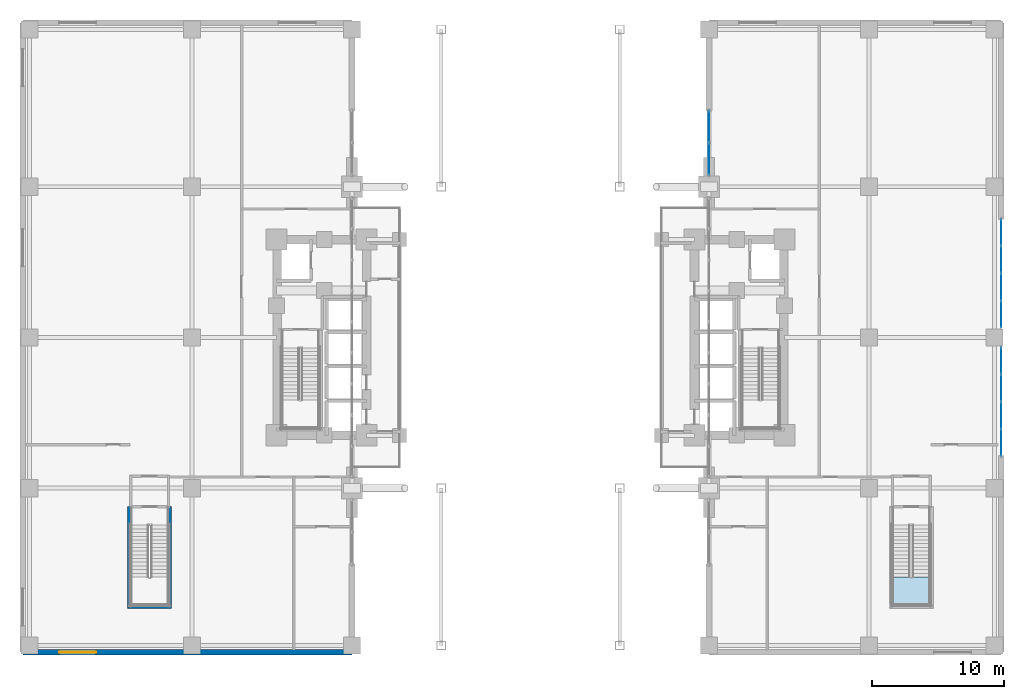
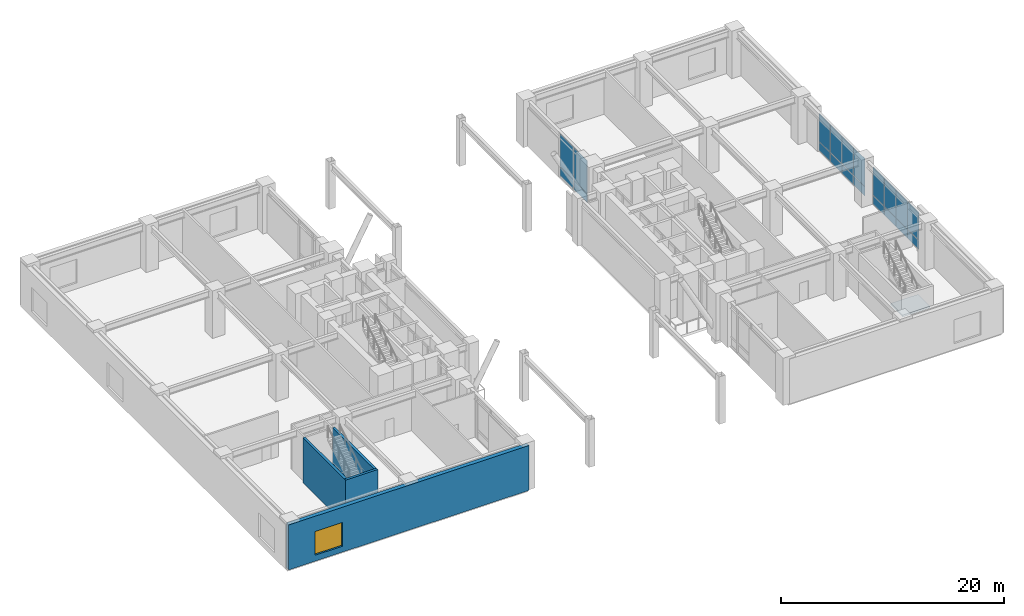
# One storey, part 19 of 27: 20 plates, 4 walls, 1 slab, 1 window, 1 opening, 4 elements without a shape of their own.
"""IFC4 building model written with IfcOpenShell, lengths in metres."""

from ifc_helpers import new_model, si_unit, direction, frame, frame_2d, origin, origin_2d, place, context, subcontext, project, spatial, polyline, rectangle, outline, extrude, material, layer, layer_set, type_object, element, fill, aggregate, save


model = new_model("IFC4")

# Units and contexts
model_context = context("Model", 3, precision=1e-05, world=origin(), true_north=direction((0.0, 1.0)))
body_context = subcontext(model_context, "Body", "Model", "MODEL_VIEW")
ifc_project = project(units=[si_unit("LENGTHUNIT", "METRE"), si_unit("AREAUNIT", "SQUARE_METRE"), si_unit("VOLUMEUNIT", "CUBIC_METRE"), si_unit("PLANEANGLEUNIT", "RADIAN"), si_unit("MASSUNIT", "GRAM", prefix="KILO")], contexts=[model_context])

# Site, building, storey
site_placement = place(None, origin())
site = spatial("IfcSite", under=ifc_project, at=site_placement, CompositionType="ELEMENT")
building_placement = place(site_placement, origin())
building = spatial("IfcBuilding", under=site, at=building_placement, Name="Voryun Gate Residences", CompositionType="ELEMENT")
storey_placement = place(building_placement, frame((0.0, 0.0, 5.199951171875)))
storey = spatial("IfcBuildingStorey", under=building, at=storey_placement, Name="L01", CompositionType="ELEMENT", Elevation=5.199951171875)

# Curtain wall, plates
ifc_material_1 = material(Name="Anodised aluminium", Category="aluminium")
ifc_layer_1 = layer(ifc_material_1, 0.219970703125, Name="CW_SYS_POD_DARK_GLASS")
ifc_layer_set_1 = layer_set([ifc_layer_1], Name="Anodised aluminium")
curtain_wall_type_1 = type_object("IfcCurtainWallType", Name="CW_SYS_POD_DARK_GLASS", PredefinedType="NOTDEFINED", material=ifc_layer_set_1)
curtain_wall_1_placement = place(storey_placement, origin())
curtain_wall_1 = element("IfcCurtainWall", 1, at=curtain_wall_1_placement, inside=storey, type_object=curtain_wall_type_1, Name="Curtain wall CW1-L01-EPE-S", PredefinedType="NOTDEFINED")
ifc_material_2 = material(Name="Laminated low-E glass", Category="glass")
ifc_layer_2 = layer(ifc_material_2, 0.048095703125, Name="PLT_GLASS_DARK_POD")
ifc_layer_set_2 = layer_set([ifc_layer_2], Name="Laminated low-E glass")
plate_type = type_object("IfcPlateType", Name="PLT_GLASS_DARK_POD", PredefinedType="CURTAIN_PANEL", material=ifc_layer_set_2)
plate_1_placement = place(storey_placement, frame((35.60009765625, -7.94677734375, 0.06005859375), z_axis=(0.0, 0.0, 1.0), x_axis=(0.0, 1.0, 0.0)))
plate_1 = element("IfcPlate", 2, at=plate_1_placement, type_object=plate_type, Name="CW1 panel 1.1", PredefinedType="CURTAIN_PANEL", context=body_context, shape_type="SweptSolid", body=[
    extrude(rectangle(XDim=1.986328125, YDim=0.028076171875, at=origin_2d()), origin(), (0.0, 0.0, 1.0), 0.9599609375),
])
plate_2_placement = place(storey_placement, frame((35.60009765625, -7.94677734375, 1.080078125), z_axis=(0.0, 0.0, 1.0), x_axis=(0.0, 1.0, 0.0)))
plate_2 = element("IfcPlate", 3, at=plate_2_placement, type_object=plate_type, Name="CW1 panel 1.2", PredefinedType="CURTAIN_PANEL", context=body_context, shape_type="SweptSolid", body=[
    extrude(rectangle(XDim=1.986328125, YDim=0.028076171875, at=origin_2d()), origin(), (0.0, 0.0, 1.0), 3.06005859375),
])
plate_3_placement = place(storey_placement, frame((35.60009765625, -5.8857421875, 0.06005859375), z_axis=(0.0, 0.0, 1.0), x_axis=(0.0, 1.0, 0.0)))
plate_3 = element("IfcPlate", 4, at=plate_3_placement, type_object=plate_type, Name="CW1 panel 2.1", PredefinedType="CURTAIN_PANEL", context=body_context, shape_type="SweptSolid", body=[
    extrude(rectangle(XDim=2.016357421875, YDim=0.028076171875, at=origin_2d()), origin(), (0.0, 0.0, 1.0), 0.9599609375),
])
plate_4_placement = place(storey_placement, frame((35.60009765625, -5.8857421875, 1.080078125), z_axis=(0.0, 0.0, 1.0), x_axis=(0.0, 1.0, 0.0)))
plate_4 = element("IfcPlate", 5, at=plate_4_placement, type_object=plate_type, Name="CW1 panel 2.2", PredefinedType="CURTAIN_PANEL", context=body_context, shape_type="SweptSolid", body=[
    extrude(rectangle(XDim=2.016357421875, YDim=0.028076171875, at=origin_2d()), origin(), (0.0, 0.0, 1.0), 3.06005859375),
])
plate_5_placement = place(storey_placement, frame((35.60009765625, -3.809326171875, 0.06005859375), z_axis=(0.0, 0.0, 1.0), x_axis=(0.0, 1.0, 0.0)))
plate_5 = element("IfcPlate", 6, at=plate_5_placement, type_object=plate_type, Name="CW1 panel 3.1", PredefinedType="CURTAIN_PANEL", context=body_context, shape_type="SweptSolid", body=[
    extrude(rectangle(XDim=2.016357421875, YDim=0.028076171875, at=origin_2d()), origin(), (0.0, 0.0, 1.0), 0.9599609375),
])
plate_6_placement = place(storey_placement, frame((35.60009765625, -3.809326171875, 1.080078125), z_axis=(0.0, 0.0, 1.0), x_axis=(0.0, 1.0, 0.0)))
plate_6 = element("IfcPlate", 7, at=plate_6_placement, type_object=plate_type, Name="CW1 panel 3.2", PredefinedType="CURTAIN_PANEL", context=body_context, shape_type="SweptSolid", body=[
    extrude(rectangle(XDim=2.016357421875, YDim=0.028076171875, at=origin_2d()), origin(), (0.0, 0.0, 1.0), 3.06005859375),
])
plate_7_placement = place(storey_placement, frame((35.60009765625, -1.748046875, 0.06005859375), z_axis=(0.0, 0.0, 1.0), x_axis=(0.0, 1.0, 0.0)))
plate_7 = element("IfcPlate", 8, at=plate_7_placement, type_object=plate_type, Name="CW1 panel 4.1", PredefinedType="CURTAIN_PANEL", context=body_context, shape_type="SweptSolid", body=[
    extrude(rectangle(XDim=1.986328125, YDim=0.028076171875, at=origin_2d()), origin(), (0.0, 0.0, 1.0), 0.9599609375),
])
plate_8_placement = place(storey_placement, frame((35.60009765625, -1.748046875, 1.080078125), z_axis=(0.0, 0.0, 1.0), x_axis=(0.0, 1.0, 0.0)))
plate_8 = element("IfcPlate", 9, at=plate_8_placement, type_object=plate_type, Name="CW1 panel 4.2", PredefinedType="CURTAIN_PANEL", context=body_context, shape_type="SweptSolid", body=[
    extrude(rectangle(XDim=1.986328125, YDim=0.028076171875, at=origin_2d()), origin(), (0.0, 0.0, 1.0), 3.06005859375),
])
aggregate(curtain_wall_1, [plate_1, plate_2, plate_3, plate_4, plate_5, plate_6, plate_7, plate_8])

curtain_wall_2_placement = place(storey_placement, origin())
curtain_wall_2 = element("IfcCurtainWall", 10, at=curtain_wall_2_placement, inside=storey, type_object=curtain_wall_type_1, Name="Curtain wall CW1-L01-EPE-N", PredefinedType="NOTDEFINED")
plate_9_placement = place(storey_placement, frame((35.60009765625, 1.748046875, 0.06005859375), z_axis=(0.0, 0.0, 1.0), x_axis=(0.0, 1.0, 0.0)))
plate_9 = element("IfcPlate", 11, at=plate_9_placement, type_object=plate_type, Name="CW1 panel 1.1", PredefinedType="CURTAIN_PANEL", context=body_context, shape_type="SweptSolid", body=[
    extrude(rectangle(XDim=1.986328125, YDim=0.028076171875, at=origin_2d()), origin(), (0.0, 0.0, 1.0), 0.9599609375),
])
plate_10_placement = place(storey_placement, frame((35.60009765625, 1.748046875, 1.080078125), z_axis=(0.0, 0.0, 1.0), x_axis=(0.0, 1.0, 0.0)))
plate_10 = element("IfcPlate", 12, at=plate_10_placement, type_object=plate_type, Name="CW1 panel 1.2", PredefinedType="CURTAIN_PANEL", context=body_context, shape_type="SweptSolid", body=[
    extrude(rectangle(XDim=1.986328125, YDim=0.028076171875, at=origin_2d()), origin(), (0.0, 0.0, 1.0), 3.06005859375),
])
plate_11_placement = place(storey_placement, frame((35.60009765625, 3.809326171875, 0.06005859375), z_axis=(0.0, 0.0, 1.0), x_axis=(0.0, 1.0, 0.0)))
plate_11 = element("IfcPlate", 13, at=plate_11_placement, type_object=plate_type, Name="CW1 panel 2.1", PredefinedType="CURTAIN_PANEL", context=body_context, shape_type="SweptSolid", body=[
    extrude(rectangle(XDim=2.016357421875, YDim=0.028076171875, at=origin_2d()), origin(), (0.0, 0.0, 1.0), 0.9599609375),
])
plate_12_placement = place(storey_placement, frame((35.60009765625, 3.809326171875, 1.080078125), z_axis=(0.0, 0.0, 1.0), x_axis=(0.0, 1.0, 0.0)))
plate_12 = element("IfcPlate", 14, at=plate_12_placement, type_object=plate_type, Name="CW1 panel 2.2", PredefinedType="CURTAIN_PANEL", context=body_context, shape_type="SweptSolid", body=[
    extrude(rectangle(XDim=2.016357421875, YDim=0.028076171875, at=origin_2d()), origin(), (0.0, 0.0, 1.0), 3.06005859375),
])
plate_13_placement = place(storey_placement, frame((35.60009765625, 5.8857421875, 0.06005859375), z_axis=(0.0, 0.0, 1.0), x_axis=(0.0, 1.0, 0.0)))
plate_13 = element("IfcPlate", 15, at=plate_13_placement, type_object=plate_type, Name="CW1 panel 3.1", PredefinedType="CURTAIN_PANEL", context=body_context, shape_type="SweptSolid", body=[
    extrude(rectangle(XDim=2.016357421875, YDim=0.028076171875, at=origin_2d()), origin(), (0.0, 0.0, 1.0), 0.9599609375),
])
plate_14_placement = place(storey_placement, frame((35.60009765625, 5.8857421875, 1.080078125), z_axis=(0.0, 0.0, 1.0), x_axis=(0.0, 1.0, 0.0)))
plate_14 = element("IfcPlate", 16, at=plate_14_placement, type_object=plate_type, Name="CW1 panel 3.2", PredefinedType="CURTAIN_PANEL", context=body_context, shape_type="SweptSolid", body=[
    extrude(rectangle(XDim=2.016357421875, YDim=0.028076171875, at=origin_2d()), origin(), (0.0, 0.0, 1.0), 3.06005859375),
])
plate_15_placement = place(storey_placement, frame((35.60009765625, 7.94677734375, 0.06005859375), z_axis=(0.0, 0.0, 1.0), x_axis=(0.0, 1.0, 0.0)))
plate_15 = element("IfcPlate", 17, at=plate_15_placement, type_object=plate_type, Name="CW1 panel 4.1", PredefinedType="CURTAIN_PANEL", context=body_context, shape_type="SweptSolid", body=[
    extrude(rectangle(XDim=1.986328125, YDim=0.028076171875, at=origin_2d()), origin(), (0.0, 0.0, 1.0), 0.9599609375),
])
plate_16_placement = place(storey_placement, frame((35.60009765625, 7.94677734375, 1.080078125), z_axis=(0.0, 0.0, 1.0), x_axis=(0.0, 1.0, 0.0)))
plate_16 = element("IfcPlate", 18, at=plate_16_placement, type_object=plate_type, Name="CW1 panel 4.2", PredefinedType="CURTAIN_PANEL", context=body_context, shape_type="SweptSolid", body=[
    extrude(rectangle(XDim=1.986328125, YDim=0.028076171875, at=origin_2d()), origin(), (0.0, 0.0, 1.0), 3.06005859375),
])
aggregate(curtain_wall_2, [plate_9, plate_10, plate_11, plate_12, plate_13, plate_14, plate_15, plate_16])

ifc_material_3 = material(Name="Anodised aluminium", Category="aluminium")
ifc_layer_3 = layer(ifc_material_3, 0.239990234375, Name="CW_SYS_ARCH_DARK_GLASS")
ifc_layer_set_3 = layer_set([ifc_layer_3], Name="Anodised aluminium")
curtain_wall_type_2 = type_object("IfcCurtainWallType", Name="CW_SYS_ARCH_DARK_GLASS", PredefinedType="NOTDEFINED", material=ifc_layer_set_3)
curtain_wall_3_placement = place(storey_placement, origin())
curtain_wall_3 = element("IfcCurtainWall", 19, at=curtain_wall_3_placement, inside=storey, type_object=curtain_wall_type_2, Name="Curtain wall CW2-L01-EP-N", PredefinedType="NOTDEFINED")
plate_17_placement = place(storey_placement, frame((13.5, 13.498779296875, 0.06005859375), z_axis=(0.0, 0.0, 1.0), x_axis=(0.0, 1.0, 0.0)))
plate_17 = element("IfcPlate", 20, at=plate_17_placement, type_object=plate_type, Name="CW2 panel 1.1", PredefinedType="CURTAIN_PANEL", context=body_context, shape_type="SweptSolid", body=[
    extrude(rectangle(XDim=2.387451171875, YDim=0.028076171875, at=origin_2d()), origin(), (0.0, 0.0, 1.0), 0.9599609375),
])
plate_18_placement = place(storey_placement, frame((13.5, 13.498779296875, 1.080078125), z_axis=(0.0, 0.0, 1.0), x_axis=(0.0, 1.0, 0.0)))
plate_18 = element("IfcPlate", 21, at=plate_18_placement, type_object=plate_type, Name="CW2 panel 1.2", PredefinedType="CURTAIN_PANEL", context=body_context, shape_type="SweptSolid", body=[
    extrude(rectangle(XDim=2.387451171875, YDim=0.028076171875, at=origin_2d()), origin(), (0.0, 0.0, 1.0), 3.56005859375),
])
plate_19_placement = place(storey_placement, frame((13.5, 15.9462890625, 0.06005859375), z_axis=(0.0, 0.0, 1.0), x_axis=(0.0, 1.0, 0.0)))
plate_19 = element("IfcPlate", 22, at=plate_19_placement, type_object=plate_type, Name="CW2 panel 2.1", PredefinedType="CURTAIN_PANEL", context=body_context, shape_type="SweptSolid", body=[
    extrude(rectangle(XDim=2.387451171875, YDim=0.028076171875, at=origin_2d()), origin(), (0.0, 0.0, 1.0), 0.9599609375),
])
plate_20_placement = place(storey_placement, frame((13.5, 15.9462890625, 1.080078125), z_axis=(0.0, 0.0, 1.0), x_axis=(0.0, 1.0, 0.0)))
plate_20 = element("IfcPlate", 23, at=plate_20_placement, type_object=plate_type, Name="CW2 panel 2.2", PredefinedType="CURTAIN_PANEL", context=body_context, shape_type="SweptSolid", body=[
    extrude(rectangle(XDim=2.387451171875, YDim=0.028076171875, at=origin_2d()), origin(), (0.0, 0.0, 1.0), 3.56005859375),
])
aggregate(curtain_wall_3, [plate_17, plate_18, plate_19, plate_20])

# Stair, slab
ifc_material_4 = material(Name="Concrete C40/50", Category="concrete")
stair_type = type_object("IfcStairType", Name="STR_CROWN_DOGLEG_1250", PredefinedType="HALF_TURN_STAIR", material=ifc_material_4)
stair_placement = place(storey_placement, origin())
stair = element("IfcStair", 24, at=stair_placement, inside=storey, type_object=stair_type, Name="L01 Special Escape Stair ST-P2", PredefinedType="HALF_TURN_STAIR")
ifc_material_5 = material(Name="Concrete C40/50", Category="concrete")
ifc_layer_4 = layer(ifc_material_5, 0.199951171875, Name="SLB_STAIR_LANDING_200")
ifc_layer_set_4 = layer_set([ifc_layer_4], Name="Concrete C40/50")
slab_type = type_object("IfcSlabType", Name="SLB_STAIR_LANDING_200", PredefinedType="LANDING", material=ifc_layer_set_4)
slab_placement = place(storey_placement, frame((0.0, 0.0, 2.400146484375)))
slab = element("IfcSlab", 25, at=slab_placement, type_object=slab_type, Name="ST-P2 landing 1", PredefinedType="LANDING", context=body_context, shape_type="SweptSolid", body=[
    extrude(outline(polyline([(27.375, -18.1201171875), (27.375, -20.25), (30.22509765625, -20.25), (30.22509765625, -18.1201171875), (27.375, -18.1201171875)])), origin(), (0.0, 0.0, 1.0), 0.199951171875),
])
aggregate(stair, [slab])

# Wall, opening, window
ifc_material_6 = material(Name="Granite masonry", Category="masonry")
ifc_layer_5 = layer(ifc_material_6, 0.419921875, Name="W_EXT_PODIUM_420")
ifc_layer_set_5 = layer_set([ifc_layer_5], Name="Granite masonry")
wall_type_1 = type_object("IfcWallType", Name="W_EXT_PODIUM_420", PredefinedType="ELEMENTEDWALL", material=ifc_layer_set_5)
wall_1_placement = place(storey_placement, frame((-38.39990234375, -23.800048828125, 0.0), z_axis=(0.0, 0.0, 1.0), x_axis=(1.0, 0.0, 0.0)))
wall_1 = element("IfcWall", 26, at=wall_1_placement, inside=storey, type_object=wall_type_1, Name="Exterior wall WEP-L01-WP-1", PredefinedType="ELEMENTEDWALL", context=body_context, shape_type="SweptSolid", body=[
    extrude(rectangle(XDim=24.89990234375, YDim=0.419921875, at=frame_2d((12.449951171875, 0.0))), origin(), (0.0, 0.0, 1.0), 4.920166015625),
])
opening_placement = place(wall_1_placement, frame((2.75, 0.0, 0.64990234375)))
opening = element("IfcOpeningElement", 27, at=opening_placement, cuts=wall_1, Name="Opening WN5", PredefinedType="OPENING", context=body_context, shape_type="SweptSolid", body=[
    extrude(rectangle(XDim=2.800048828125, YDim=2.60009765625, at=frame_2d((1.39990234375, 1.300048828125))), frame((0.0, 0.219970703125, 0.0), z_axis=(0.0, -1.0, 0.0), x_axis=(1.0, 0.0, 0.0)), (0.0, 0.0, 1.0), 0.43994140625),
])
ifc_material_7 = material(Name="Laminated low-E glass", Category="glass")
window_type = type_object("IfcWindowType", Name="WN_POD_GALLERY_2800", PartitioningType="SINGLE_PANEL", PredefinedType="WINDOW", material=ifc_material_7)
window_placement = place(opening_placement, origin())
window = element("IfcWindow", 28, at=window_placement, inside=storey, type_object=window_type, Name="Window WN-L01-WP-1-01", OverallHeight=2.60009765625, OverallWidth=2.800048828125, PartitioningType="SINGLE_PANEL", PredefinedType="WINDOW", context=body_context, shape_type="SweptSolid", body=[
    extrude(rectangle(XDim=2.800048828125, YDim=2.60009765625, at=frame_2d((1.39990234375, 1.300048828125))), frame((0.0, 0.030029296875, 0.0), z_axis=(0.0, -1.0, 0.0), x_axis=(1.0, 0.0, 0.0)), (0.0, 0.0, 1.0), 0.06005859375),
])
fill(opening, window)

# Walls
ifc_material_8 = material(Name="Concrete C50/60", Category="concrete")
ifc_layer_6 = layer(ifc_material_8, 0.25, Name="W_SHAFT_RC250")
ifc_layer_set_6 = layer_set([ifc_layer_6], Name="Concrete C50/60")
wall_type_2 = type_object("IfcWallType", Name="W_SHAFT_RC250", PredefinedType="SOLIDWALL", material=ifc_layer_set_6)
for number, where, z_axis, x_axis, name in (
    (29, (-30.340087890625, -20.485107421875, 0.0), (0.0, 0.0, 1.0), (0.0, 1.0, 0.0), "L01 Podium stair structural wall STP1-W"),
    (30, (-27.260009765625, -20.485107421875, 0.0), (0.0, 0.0, 1.0), (0.0, 1.0, 0.0), "L01 Podium stair structural wall STP1-E"),
):
    element("IfcWall", number, at=place(storey_placement, frame(where, z_axis=z_axis, x_axis=x_axis)), inside=storey, type_object=wall_type_2, Name=name, PredefinedType="SOLIDWALL", context=body_context, shape_type="SweptSolid", body=[
        extrude(rectangle(XDim=7.68505859375, YDim=0.25, at=frame_2d((3.842529296875, 0.0))), origin(), (0.0, 0.0, 1.0), 4.920166015625),
    ])
wall_2_placement = place(storey_placement, frame((-30.4599609375, -20.364990234375, 0.0), z_axis=(0.0, 0.0, 1.0), x_axis=(1.0, 0.0, 0.0)))
element("IfcWall", 31, at=wall_2_placement, inside=storey, type_object=wall_type_2, Name="L01 Podium stair structural wall STP1-S", PredefinedType="SOLIDWALL", context=body_context, shape_type="SweptSolid", body=[
    extrude(rectangle(XDim=3.320068359375, YDim=0.25, at=frame_2d((1.66015625, 0.0))), origin(), (0.0, 0.0, 1.0), 4.920166015625),
])

save(model, "model.ifc")
